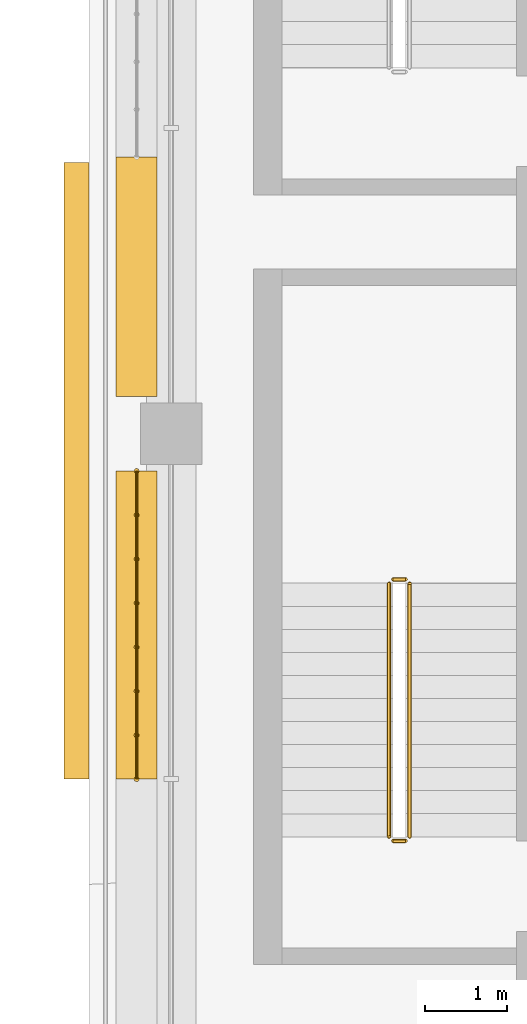
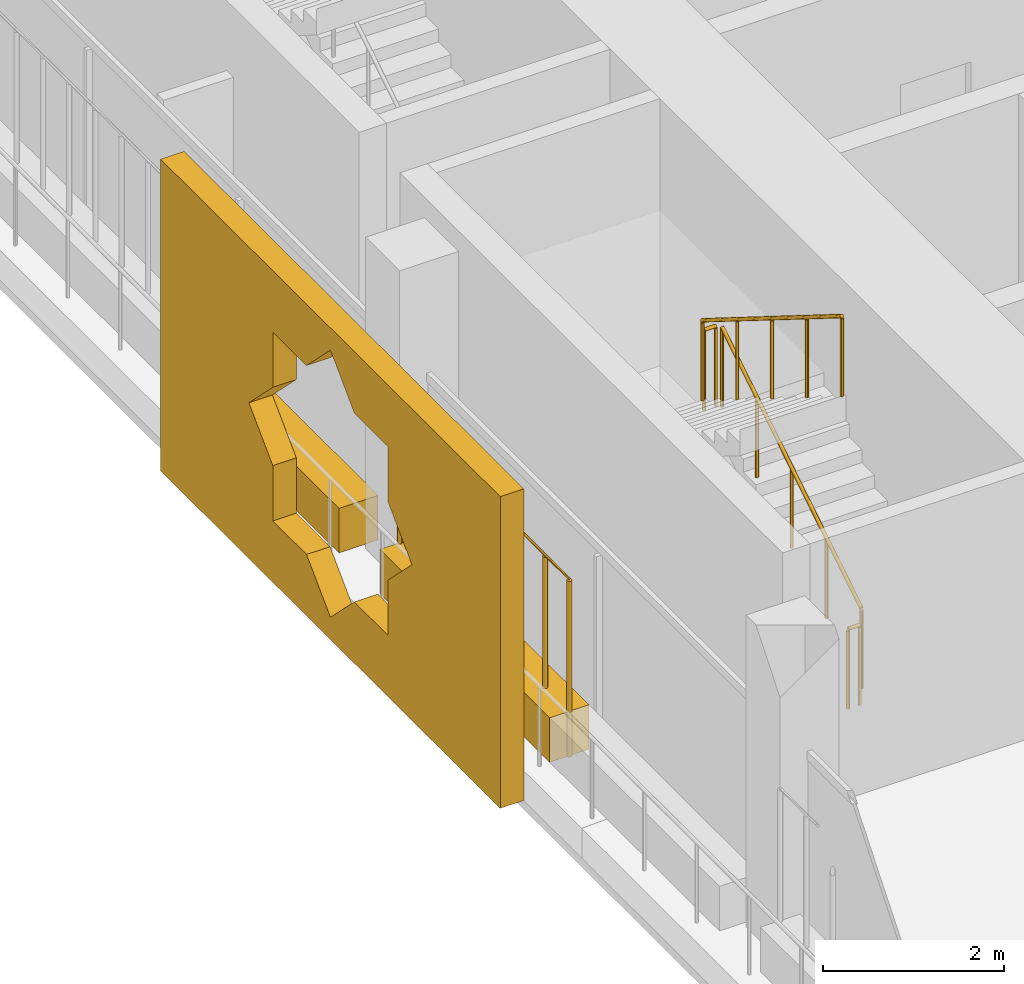
# One storey, part 17 of 21: 5 railings, 3 coverings.
"""IFC4 building model written with IfcOpenShell, lengths in metres."""

from ifc_helpers import new_model, si_unit, direction, frame, origin, origin_2d, place, context, subcontext, project, spatial, polyline, rectangle, circle, outline, extrude, material, material_profile, profile_set, type_object, element, save


model = new_model("IFC4")

# Units and contexts
model_context = context("Model", 3, precision=1e-05, world=origin(), true_north=direction((0.0, 1.0)))
body_context = subcontext(model_context, "Body", "Model", "MODEL_VIEW")
ifc_project = project(units=[si_unit("LENGTHUNIT", "METRE"), si_unit("AREAUNIT", "SQUARE_METRE"), si_unit("VOLUMEUNIT", "CUBIC_METRE"), si_unit("PLANEANGLEUNIT", "RADIAN"), si_unit("MASSUNIT", "GRAM", prefix="KILO")], contexts=[model_context])

# Site, building, storey
site_placement = place(None, origin())
site = spatial("IfcSite", under=ifc_project, at=site_placement, CompositionType="ELEMENT")
building_placement = place(site_placement, origin())
building = spatial("IfcBuilding", under=site, at=building_placement, Name="Kawkab Arch Medical Tower", CompositionType="ELEMENT")
storey_placement = place(building_placement, frame((0.0, 0.0, 319.60009765625)))
storey = spatial("IfcBuildingStorey", under=building, at=storey_placement, Name="L74", CompositionType="ELEMENT", Elevation=319.60009765625)

# Coverings
ifc_material_1 = material(Name="Bronze anodised aluminium mashrabiya panel, eight-point star pattern", Category="aluminium")
ifc_material_profile_1 = material_profile(ifc_material_1, outline(polyline([(-3.75, -2.10009765625), (3.75, -2.10009765625), (3.75, 2.10009765625), (-3.75, 2.10009765625), (-3.75, -2.10009765625)]), holes=[polyline([(1.800048828125, 0.0), (1.272705078125, 0.527099609375), (1.272705078125, 1.272705078125), (0.527099609375, 1.272705078125), (0.0, 1.800048828125), (-0.527099609375, 1.272705078125), (-1.272705078125, 1.272705078125), (-1.272705078125, 0.527099609375), (-1.800048828125, 0.0), (-1.272705078125, -0.527099609375), (-1.272705078125, -1.272705078125), (-0.527099609375, -1.272705078125), (0.0, -1.800048828125), (0.527099609375, -1.272705078125), (1.272705078125, -1.272705078125), (1.272705078125, -0.527099609375), (1.800048828125, 0.0)])]), Name="Mashrabiya panel 7500x4200")
ifc_profile_set_1 = profile_set([ifc_material_profile_1], Name="Bronze anodised aluminium mashrabiya panel, eight-point star pattern")
covering_type_1 = type_object("IfcCoveringType", Name="Mashrabiya panel 7500 x 4200", PredefinedType="USERDEFINED", material=ifc_profile_set_1)
covering_1_placement = place(storey_placement, frame((-1.0, -17.24951171875, 1.699951171875), z_axis=(-1.0, 0.0, 0.0), x_axis=(0.0, -1.0, 0.0)))
element("IfcCovering", 1, at=covering_1_placement, inside=storey, type_object=covering_type_1, Name="Mashrabiya panel L74.LOG-01-01.2", ObjectType="SCREEN", PredefinedType="USERDEFINED", context=body_context, shape_type="SweptSolid", body=[
    extrude(outline(polyline([(-3.75, -2.10009765625), (3.75, -2.10009765625), (3.75, 2.10009765625), (-3.75, 2.10009765625), (-3.75, -2.10009765625)]), holes=[polyline([(1.800048828125, 0.0), (1.272705078125, 0.527099609375), (1.272705078125, 1.272705078125), (0.527099609375, 1.272705078125), (0.0, 1.800048828125), (-0.527099609375, 1.272705078125), (-1.272705078125, 1.272705078125), (-1.272705078125, 0.527099609375), (-1.800048828125, 0.0), (-1.272705078125, -0.527099609375), (-1.272705078125, -1.272705078125), (-0.527099609375, -1.272705078125), (0.0, -1.800048828125), (0.527099609375, -1.272705078125), (1.272705078125, -1.272705078125), (1.272705078125, -0.527099609375), (1.800048828125, 0.0)])]), origin(), (0.0, 0.0, 1.0), 0.300048828125),
])
ifc_material_2 = material(Name="Planting soil in a precast trough", Category="concrete")
ifc_material_profile_2 = material_profile(ifc_material_2, rectangle(XDim=0.5, YDim=0.60009765625, at=origin_2d()), Name="Trough 500x600")
ifc_profile_set_2 = profile_set([ifc_material_profile_2], Name="Planting soil in a precast trough")
covering_type_2 = type_object("IfcCoveringType", Name="Planter trough 500 x 600", PredefinedType="USERDEFINED", material=ifc_profile_set_2)
covering_2_placement = place(storey_placement, frame((-0.419921875, -21.0, 0.2998046875), z_axis=(0.0, 1.0, 0.0), x_axis=(-1.0, 0.0, 0.0)))
element("IfcCovering", 2, at=covering_2_placement, inside=storey, type_object=covering_type_2, Name="Planter L74.LOG-01-01.7", ObjectType="PLANTER", PredefinedType="USERDEFINED", context=body_context, shape_type="SweptSolid", body=[
    extrude(rectangle(XDim=0.5, YDim=0.60009765625, at=origin_2d()), origin(), (0.0, 0.0, 1.0), 3.7470703125),
])
covering_3_placement = place(storey_placement, frame((-0.419921875, -16.346923828125, 0.2998046875), z_axis=(0.0, 1.0, 0.0), x_axis=(-1.0, 0.0, 0.0)))
element("IfcCovering", 3, at=covering_3_placement, inside=storey, type_object=covering_type_2, Name="Planter L74.LOG-01-01.8", ObjectType="PLANTER", PredefinedType="USERDEFINED", context=body_context, shape_type="SweptSolid", body=[
    extrude(rectangle(XDim=0.5, YDim=0.60009765625, at=origin_2d()), origin(), (0.0, 0.0, 1.0), 2.909912109375),
])

# Railings
ifc_material_3 = material(Name="Bronze anodised aluminium trellis for climbing plants", Category="aluminium")
railing_type_1 = type_object("IfcRailingType", Name="Planting trellis 2400", PredefinedType="USERDEFINED", material=ifc_material_3)
railing_1_placement = place(storey_placement, frame((-0.419921875, -21.0, 0.0)))
element("IfcRailing", 4, at=railing_1_placement, inside=storey, type_object=railing_type_1, Name="Planting trellis L74.LOG-01-01.7", ObjectType="TRELLIS", PredefinedType="USERDEFINED", context=body_context, shape_type="SweptSolid", body=[
    extrude(circle(Radius=0.01513671875, at=origin_2d()), frame((0.0, 0.0, 2.384765625), z_axis=(0.0, 1.0, 0.0), x_axis=(-1.0, 0.0, 0.0)), (0.0, 0.0, 1.0), 3.7470703125),
    extrude(circle(Radius=0.030029296875, at=origin_2d()), origin(), (0.0, 0.0, 1.0), 2.369873046875),
    extrude(circle(Radius=0.030029296875, at=origin_2d()), frame((0.0, 0.535400390625, 0.0)), (0.0, 0.0, 1.0), 2.369873046875),
    extrude(circle(Radius=0.030029296875, at=origin_2d()), frame((0.0, 1.070556640625, 0.0)), (0.0, 0.0, 1.0), 2.369873046875),
    extrude(circle(Radius=0.030029296875, at=origin_2d()), frame((0.0, 1.60595703125, 0.0)), (0.0, 0.0, 1.0), 2.369873046875),
    extrude(circle(Radius=0.030029296875, at=origin_2d()), frame((0.0, 2.14111328125, 0.0)), (0.0, 0.0, 1.0), 2.369873046875),
    extrude(circle(Radius=0.030029296875, at=origin_2d()), frame((0.0, 2.676513671875, 0.0)), (0.0, 0.0, 1.0), 2.369873046875),
    extrude(circle(Radius=0.030029296875, at=origin_2d()), frame((0.0, 3.211669921875, 0.0)), (0.0, 0.0, 1.0), 2.369873046875),
    extrude(circle(Radius=0.030029296875, at=origin_2d()), frame((0.0, 3.7470703125, 0.0)), (0.0, 0.0, 1.0), 2.369873046875),
])
ifc_material_4 = material(Name="Stainless steel", Category="steel")
railing_type_2 = type_object("IfcRailingType", Name="Stair guard 1100", PredefinedType="GUARDRAIL", material=ifc_material_4)
railing_2_placement = place(storey_placement, frame((2.89990234375, -21.699951171875, 0.1748046875)))
element("IfcRailing", 5, at=railing_2_placement, inside=storey, type_object=railing_type_2, Name="L74 ST2 stair guard 1", PredefinedType="GUARDRAIL", context=body_context, shape_type="SweptSolid", body=[
    extrude(circle(Radius=0.02392578125, at=origin_2d()), frame((0.0, 0.0, 1.076171875), z_axis=(0.0, 0.847979421464, 0.530029150871), x_axis=(-1.0, 0.0, 0.0)), (0.0, 0.0, 1.0), 3.632080078125),
    extrude(circle(Radius=0.02099609375, at=origin_2d()), origin(), (0.0, 0.0, 1.0), 1.052001953125),
    extrude(circle(Radius=0.02099609375, at=origin_2d()), frame((0.0, 0.77001953125, 0.481201171875)), (0.0, 0.0, 1.0), 1.052001953125),
    extrude(circle(Radius=0.02099609375, at=origin_2d()), frame((0.0, 1.5400390625, 0.96240234375)), (0.0, 0.0, 1.0), 1.052001953125),
    extrude(circle(Radius=0.02099609375, at=origin_2d()), frame((0.0, 2.309814453125, 1.44384765625)), (0.0, 0.0, 1.0), 1.052001953125),
    extrude(circle(Radius=0.02099609375, at=origin_2d()), frame((0.0, 3.079833984375, 1.925048828125)), (0.0, 0.0, 1.0), 1.052001953125),
])
railing_3_placement = place(storey_placement, frame((2.85009765625, -18.570068359375, 2.099853515625)))
element("IfcRailing", 6, at=railing_3_placement, inside=storey, type_object=railing_type_2, Name="L74 ST2 stair guard 2", PredefinedType="GUARDRAIL", context=body_context, shape_type="SweptSolid", body=[
    extrude(circle(Radius=0.02392578125, at=origin_2d()), frame((0.0, 0.0, 1.076171875), z_axis=(-1.0, 0.0, 0.0), x_axis=(0.0, -1.0, 0.0)), (0.0, 0.0, 1.0), 0.150146484375),
    extrude(circle(Radius=0.02099609375, at=origin_2d()), origin(), (0.0, 0.0, 1.0), 1.052001953125),
    extrude(circle(Radius=0.02099609375, at=origin_2d()), frame((-0.150146484375, 0.0, 0.0)), (0.0, 0.0, 1.0), 1.052001953125),
])
railing_4_placement = place(storey_placement, frame((2.64990234375, -18.6201171875, 2.27490234375)))
element("IfcRailing", 7, at=railing_4_placement, inside=storey, type_object=railing_type_2, Name="L74 ST2 stair guard 3", PredefinedType="GUARDRAIL", context=body_context, shape_type="SweptSolid", body=[
    extrude(circle(Radius=0.02392578125, at=origin_2d()), frame((0.0, 0.0, 1.076171875), z_axis=(0.0, -0.847979421464, 0.530029150871), x_axis=(1.0, 0.0, 0.0)), (0.0, 0.0, 1.0), 3.632080078125),
    extrude(circle(Radius=0.02099609375, at=origin_2d()), origin(), (0.0, 0.0, 1.0), 1.052001953125),
    extrude(circle(Radius=0.02099609375, at=origin_2d()), frame((0.0, -0.77001953125, 0.481201171875)), (0.0, 0.0, 1.0), 1.052001953125),
    extrude(circle(Radius=0.02099609375, at=origin_2d()), frame((0.0, -1.5400390625, 0.96240234375)), (0.0, 0.0, 1.0), 1.052001953125),
    extrude(circle(Radius=0.02099609375, at=origin_2d()), frame((0.0, -2.309814453125, 1.44384765625)), (0.0, 0.0, 1.0), 1.052001953125),
    extrude(circle(Radius=0.02099609375, at=origin_2d()), frame((0.0, -3.079833984375, 1.925048828125)), (0.0, 0.0, 1.0), 1.052001953125),
])
railing_5_placement = place(storey_placement, frame((2.85009765625, -21.75, 0.0)))
element("IfcRailing", 8, at=railing_5_placement, inside=storey, type_object=railing_type_2, Name="L74 ST2 stair guard 4", PredefinedType="GUARDRAIL", context=body_context, shape_type="SweptSolid", body=[
    extrude(circle(Radius=0.02392578125, at=origin_2d()), frame((0.0, 0.0, 1.076171875), z_axis=(-1.0, 0.0, 0.0), x_axis=(0.0, -1.0, 0.0)), (0.0, 0.0, 1.0), 0.150146484375),
    extrude(circle(Radius=0.02099609375, at=origin_2d()), origin(), (0.0, 0.0, 1.0), 1.052001953125),
    extrude(circle(Radius=0.02099609375, at=origin_2d()), frame((-0.150146484375, 0.0, 0.0)), (0.0, 0.0, 1.0), 1.052001953125),
])

save(model, "model.ifc")
